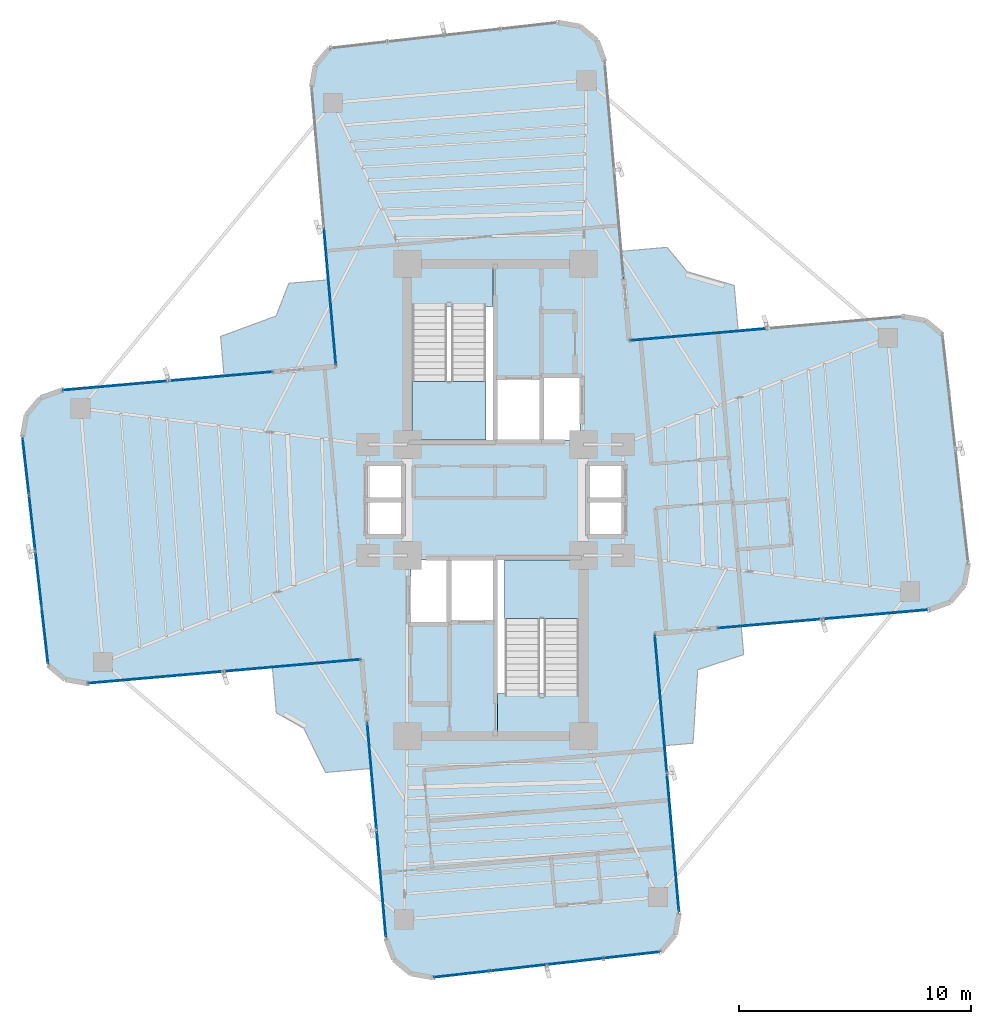
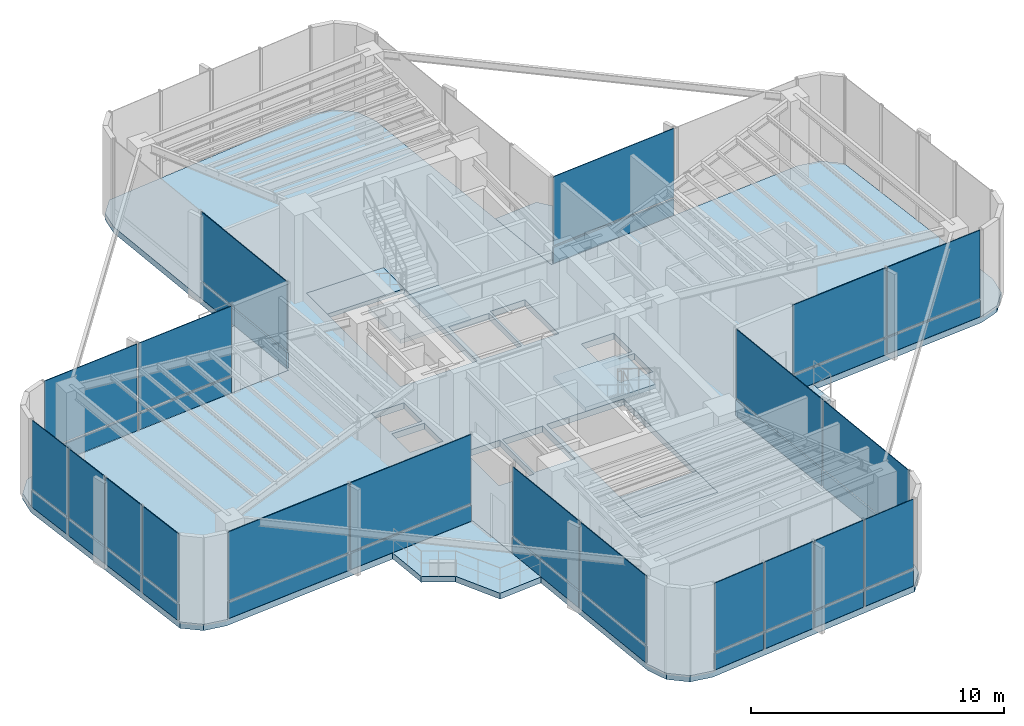
# One storey, part 13 of 19: 40 plates, 9 slabs, 11 elements without a shape of their own.
"""IFC4 building model written with IfcOpenShell, lengths in metres."""

from ifc_helpers import new_model, si_unit, direction, frame, origin, origin_2d, place, context, subcontext, project, spatial, polyline, rectangle, outline, extrude, source, transform, mapped, material, layer, layer_set, type_object, element, aggregate, save


model = new_model("IFC4")

# Units and contexts
model_context = context("Model", 3, precision=1e-05, world=origin(), true_north=direction((0.0, 1.0)))
body_context = subcontext(model_context, "Body", "Model", "MODEL_VIEW")
ifc_project = project(units=[si_unit("LENGTHUNIT", "METRE"), si_unit("AREAUNIT", "SQUARE_METRE"), si_unit("VOLUMEUNIT", "CUBIC_METRE"), si_unit("PLANEANGLEUNIT", "RADIAN"), si_unit("MASSUNIT", "GRAM", prefix="KILO")], contexts=[model_context])

# Site, building, storey
site_placement = place(None, origin())
site = spatial("IfcSite", under=ifc_project, at=site_placement, CompositionType="ELEMENT")
building_placement = place(site_placement, origin())
building = spatial("IfcBuilding", under=site, at=building_placement, Name="Sahyath Konkavel Grand Hotel", CompositionType="ELEMENT")
storey_placement = place(building_placement, frame((0.0, 0.0, 170.699951171875)))
storey = spatial("IfcBuildingStorey", under=building, at=storey_placement, Name="L47", CompositionType="ELEMENT", Elevation=170.699951171875)

# Slabs
ifc_material_1 = material(Name="Concrete C40/50", Category="concrete")
ifc_layer_1 = layer(ifc_material_1, 0.300048828125)
ifc_layer_set_1 = layer_set([ifc_layer_1], Name="Concrete C40/50")
slab_type_1 = type_object("IfcSlabType", Name="SLB-300", PredefinedType="FLOOR", material=ifc_layer_set_1)
slab_1_placement = place(storey_placement, frame((0.0, 0.0, -0.300048828125)))
element("IfcSlab", 1, at=slab_1_placement, inside=storey, type_object=slab_type_1, Name="L47 Structural Floor Slab", PredefinedType="FLOOR", context=body_context, shape_type="SweptSolid", body=[
    extrude(outline(polyline([(6.87939453125, -5.7724609375), (18.73388671875, -4.735107421875), (19.6337890625, -4.40771484375), (20.24951171875, -3.674072265625), (20.415771484375, -2.73095703125), (19.3037109375, 7.134521484375), (18.5703125, 7.75), (17.627197265625, 7.91650390625), (5.7724609375, 6.87939453125), (4.7177734375, 18.93310546875), (4.390380859375, 19.8330078125), (3.65673828125, 20.44873046875), (2.713623046875, 20.614990234375), (-7.152099609375, 19.5029296875), (-7.767578125, 18.769287109375), (-7.933837890625, 17.826416015625), (-6.87939453125, 5.7724609375), (-18.73388671875, 4.735107421875), (-19.6337890625, 4.40771484375), (-20.24951171875, 3.674072265625), (-20.415771484375, 2.73095703125), (-19.3037109375, -7.134521484375), (-18.5703125, -7.75), (-17.627197265625, -7.91650390625), (-5.7724609375, -6.87939453125), (-4.7177734375, -18.93310546875), (-4.390380859375, -19.8330078125), (-3.65673828125, -20.44873046875), (-2.713623046875, -20.614990234375), (7.152099609375, -19.5029296875), (7.767578125, -18.769287109375), (7.933837890625, -17.826416015625), (6.87939453125, -5.7724609375)]), holes=[polyline([(-3.6201171875, 2.580078125), (-0.10009765625, 2.580078125), (-0.10009765625, 10.02001953125), (-3.6201171875, 10.02001953125), (-3.6201171875, 2.580078125)]), polyline([(0.10009765625, -10.02001953125), (3.6201171875, -10.02001953125), (3.6201171875, -2.580078125), (0.10009765625, -2.580078125), (0.10009765625, -10.02001953125)]), polyline([(0.10009765625, 2.60009765625), (1.949951171875, 2.60009765625), (1.949951171875, 5.199951171875), (0.10009765625, 5.199951171875), (0.10009765625, 2.60009765625)]), polyline([(-1.949951171875, -5.199951171875), (-0.10009765625, -5.199951171875), (-0.10009765625, -2.60009765625), (-1.949951171875, -2.60009765625), (-1.949951171875, -5.199951171875)]), polyline([(2.050048828125, 2.60009765625), (3.64990234375, 2.60009765625), (3.64990234375, 5.300048828125), (2.050048828125, 5.300048828125), (2.050048828125, 2.60009765625)]), polyline([(-3.64990234375, -5.300048828125), (-2.050048828125, -5.300048828125), (-2.050048828125, -2.60009765625), (-3.64990234375, -2.60009765625), (-3.64990234375, -5.300048828125)]), polyline([(4.050048828125, 0.080078125), (5.550048828125, 0.080078125), (5.550048828125, 1.5400390625), (4.050048828125, 1.5400390625), (4.050048828125, 0.080078125)]), polyline([(4.050048828125, -1.5400390625), (5.550048828125, -1.5400390625), (5.550048828125, -0.080078125), (4.050048828125, -0.080078125), (4.050048828125, -1.5400390625)]), polyline([(-5.550048828125, 0.080078125), (-4.050048828125, 0.080078125), (-4.050048828125, 1.5400390625), (-5.550048828125, 1.5400390625), (-5.550048828125, 0.080078125)]), polyline([(-5.550048828125, -1.5400390625), (-4.050048828125, -1.5400390625), (-4.050048828125, -0.080078125), (-5.550048828125, -0.080078125), (-5.550048828125, -1.5400390625)])]), origin(), (0.0, 0.0, 1.0), 0.300048828125),
])
ifc_layer_2 = layer(ifc_material_1, 0.219970703125)
ifc_layer_set_2 = layer_set([ifc_layer_2], Name="Concrete C40/50")
slab_type_2 = type_object("IfcSlabType", Name="SLB-BALCONY-220", PredefinedType="FLOOR", material=ifc_layer_set_2)
slab_2_placement = place(storey_placement, frame((0.0, 0.0, -0.219970703125)))
element("IfcSlab", 2, at=slab_2_placement, inside=storey, type_object=slab_type_2, Name="L47 Winter-Garden Balcony NW", PredefinedType="FLOOR", context=body_context, shape_type="SweptSolid", body=[
    extrude(outline(polyline([(-6.87939453125, 5.7724609375), (-7.205810546875, 9.505126953125), (-8.91796875, 9.355224609375), (-9.465087890625, 7.9423828125), (-11.863525390625, 7.0615234375), (-11.7138671875, 5.349365234375), (-6.87939453125, 5.7724609375)])), origin(), (0.0, 0.0, 1.0), 0.219970703125),
])
slab_3_placement = place(storey_placement, frame((0.0, 0.0, -0.219970703125)))
element("IfcSlab", 3, at=slab_3_placement, inside=storey, type_object=slab_type_2, Name="L47 Winter-Garden Balcony SE", PredefinedType="FLOOR", context=body_context, shape_type="SweptSolid", body=[
    extrude(outline(polyline([(6.87939453125, -5.7724609375), (7.30224609375, -10.60693359375), (8.531005859375, -10.49951171875), (8.735107421875, -7.32958984375), (10.719482421875, -6.674560546875), (10.612060546875, -5.44580078125), (6.87939453125, -5.7724609375)])), origin(), (0.0, 0.0, 1.0), 0.219970703125),
])
ifc_layer_3 = layer(ifc_material_1, 0.280029296875)
ifc_layer_set_3 = layer_set([ifc_layer_3], Name="Concrete C40/50")
slab_type_3 = type_object("IfcSlabType", Name="SLB-SKYGARDEN-280", PredefinedType="ROOF", material=ifc_layer_set_3)
slab_4_placement = place(storey_placement, frame((0.0, 0.0, -0.280029296875)))
element("IfcSlab", 4, at=slab_4_placement, inside=storey, type_object=slab_type_3, Name="L47 Planted Sky Garden Terrace NE", PredefinedType="ROOF", context=body_context, shape_type="SweptSolid", body=[
    extrude(outline(polyline([(5.7724609375, 6.87939453125), (10.4833984375, 7.29150390625), (10.310791015625, 9.263916015625), (8.272216796875, 9.8583984375), (7.407470703125, 10.908203125), (5.43505859375, 10.735595703125), (5.7724609375, 6.87939453125)])), origin(), (0.0, 0.0, 1.0), 0.280029296875),
])
slab_5_placement = place(storey_placement, frame((0.0, 0.0, -0.280029296875)))
element("IfcSlab", 5, at=slab_5_placement, inside=storey, type_object=slab_type_3, Name="L47 Planted Sky Garden Terrace SW", PredefinedType="ROOF", context=body_context, shape_type="SweptSolid", body=[
    extrude(outline(polyline([(-5.7724609375, -6.87939453125), (-9.628662109375, -7.216796875), (-9.4560546875, -9.189208984375), (-8.272216796875, -9.8583984375), (-7.332763671875, -11.7626953125), (-5.360107421875, -11.59033203125), (-5.7724609375, -6.87939453125)])), origin(), (0.0, 0.0, 1.0), 0.280029296875),
])

# Stair, slab
stair_type = type_object("IfcStairType", Name="STR-ST16-450", PredefinedType="HALF_TURN_STAIR", material=ifc_material_1)
stair_1_placement = place(storey_placement, origin())
stair_1 = element("IfcStair", 6, at=stair_1_placement, inside=storey, type_object=stair_type, Name="L47 North Core Smokeproof Exit Stair ST-1", PredefinedType="HALF_TURN_STAIR")
ifc_layer_4 = layer(ifc_material_1, 0.199951171875)
ifc_layer_set_4 = layer_set([ifc_layer_4], Name="Concrete C40/50")
slab_type_4 = type_object("IfcSlabType", Name="SLB-STAIR-LND", PredefinedType="LANDING", material=ifc_layer_set_4)
slab_6_placement = place(storey_placement, frame((0.0, 0.0, 2.050048828125)))
slab_6 = element("IfcSlab", 7, at=slab_6_placement, type_object=slab_type_4, Name="ST-1 landing 1", PredefinedType="LANDING", context=body_context, shape_type="SweptSolid", body=[
    extrude(outline(polyline([(-3.60009765625, 5.1201171875), (-3.60009765625, 2.60009765625), (-0.39990234375, 2.60009765625), (-0.39990234375, 5.1201171875), (-3.60009765625, 5.1201171875)])), origin(), (0.0, 0.0, 1.0), 0.199951171875),
])
aggregate(stair_1, [slab_6])

stair_2_placement = place(storey_placement, origin())
stair_2 = element("IfcStair", 8, at=stair_2_placement, inside=storey, type_object=stair_type, Name="L47 South Core Smokeproof Exit Stair ST-2", PredefinedType="HALF_TURN_STAIR")
slab_7_placement = place(storey_placement, frame((0.0, 0.0, 2.050048828125)))
slab_7 = element("IfcSlab", 9, at=slab_7_placement, type_object=slab_type_4, Name="ST-2 landing 1", PredefinedType="LANDING", context=body_context, shape_type="SweptSolid", body=[
    extrude(outline(polyline([(3.60009765625, -5.1201171875), (3.60009765625, -2.60009765625), (0.39990234375, -2.60009765625), (0.39990234375, -5.1201171875), (3.60009765625, -5.1201171875)])), origin(), (0.0, 0.0, 1.0), 0.199951171875),
])
aggregate(stair_2, [slab_7])

# Slabs
slab_8_placement = place(storey_placement, frame((0.0, 0.0, -0.199951171875)))
element("IfcSlab", 10, at=slab_8_placement, inside=storey, type_object=slab_type_4, Name="L47 Stair ST-1 Floor Landing Slab", PredefinedType="LANDING", context=body_context, shape_type="SweptSolid", body=[
    extrude(outline(polyline([(-3.6201171875, 8.35009765625), (-0.10009765625, 8.35009765625), (-0.10009765625, 10.02001953125), (-3.6201171875, 10.02001953125), (-3.6201171875, 8.35009765625)])), origin(), (0.0, 0.0, 1.0), 0.199951171875),
])
slab_9_placement = place(storey_placement, frame((0.0, 0.0, -0.199951171875)))
element("IfcSlab", 11, at=slab_9_placement, inside=storey, type_object=slab_type_4, Name="L47 Stair ST-2 Floor Landing Slab", PredefinedType="LANDING", context=body_context, shape_type="SweptSolid", body=[
    extrude(outline(polyline([(0.10009765625, -10.02001953125), (3.6201171875, -10.02001953125), (3.6201171875, -8.35009765625), (0.10009765625, -8.35009765625), (0.10009765625, -10.02001953125)])), origin(), (0.0, 0.0, 1.0), 0.199951171875),
])

# Curtain wall, plates
ifc_material_2 = material(Name="Anodised Bronze Aluminium & Low-E Glazing", Category="aluminium")
curtain_wall_type = type_object("IfcCurtainWallType", Name="CW-SKYLOBBY", PredefinedType="NOTDEFINED", material=ifc_material_2)
curtain_wall_1_placement = place(storey_placement, origin())
curtain_wall_1 = element("IfcCurtainWall", 12, at=curtain_wall_1_placement, inside=storey, type_object=curtain_wall_type, Name="L47 Unitised Curtain Wall F0", PredefinedType="NOTDEFINED")
ifc_material_3 = material(Name="Warm Buff Sandstone Cladding", Category="masonry")
ifc_layer_5 = layer(ifc_material_3, 0.074951171875)
ifc_layer_set_5 = layer_set([ifc_layer_5], Name="Warm Buff Sandstone Cladding")
plate_type_1 = type_object("IfcPlateType", Name="PNL-SPANDREL-STONE", PredefinedType="SHEET", material=ifc_layer_set_5)
shared_shape_1 = source(origin(), body_context, "Body", "SweptSolid", [
    extrude(rectangle(XDim=4.47998046875, YDim=0.074951171875, at=origin_2d()), origin(), (0.0, 0.0, 1.0), 0.77001953125),
])
plate_1_placement = place(storey_placement, frame((11.880126953125, -5.334716796875, 0.0400390625), z_axis=(0.0, 0.0, 1.0), x_axis=(0.996194698092, 0.087155742748, 0.0)))
plate_1 = element("IfcPlate", 13, at=plate_1_placement, type_object=plate_type_1, Name="L47 Sandstone Relief Spandrel Panel F0-0", PredefinedType="SHEET", context=body_context, shape_type="MappedRepresentation", body=[
    mapped(shared_shape_1, transform((0.0, 0.0, 0.0), scale=1.0)),
])
plate_2_placement = place(storey_placement, frame((16.4228515625, -4.9375, 0.0400390625), z_axis=(0.0, 0.0, 1.0), x_axis=(0.996194698092, 0.087155742748, 0.0)))
plate_2 = element("IfcPlate", 14, at=plate_2_placement, type_object=plate_type_1, Name="L47 Sandstone Relief Spandrel Panel F0-1", PredefinedType="SHEET", context=body_context, shape_type="MappedRepresentation", body=[
    mapped(shared_shape_1, transform((0.0, 0.0, 0.0), scale=1.0)),
])

curtain_wall_2_placement = place(storey_placement, origin())
curtain_wall_2 = element("IfcCurtainWall", 15, at=curtain_wall_2_placement, inside=storey, type_object=curtain_wall_type, Name="L47 Unitised Curtain Wall F16", PredefinedType="NOTDEFINED")
plate_3_placement = place(storey_placement, frame((-11.880126953125, 5.334716796875, 0.0400390625), z_axis=(0.0, 0.0, 1.0), x_axis=(-0.996194698092, -0.087155742748, 0.0)))
plate_3 = element("IfcPlate", 16, at=plate_3_placement, type_object=plate_type_1, Name="L47 Sandstone Relief Spandrel Panel F16-0", PredefinedType="SHEET", context=body_context, shape_type="MappedRepresentation", body=[
    mapped(shared_shape_1, transform((0.0, 0.0, 0.0), scale=1.0)),
])
plate_4_placement = place(storey_placement, frame((-16.4228515625, 4.9375, 0.0400390625), z_axis=(0.0, 0.0, 1.0), x_axis=(-0.996194698092, -0.087155742748, 0.0)))
plate_4 = element("IfcPlate", 17, at=plate_4_placement, type_object=plate_type_1, Name="L47 Sandstone Relief Spandrel Panel F16-1", PredefinedType="SHEET", context=body_context, shape_type="MappedRepresentation", body=[
    mapped(shared_shape_1, transform((0.0, 0.0, 0.0), scale=1.0)),
])

# Plate
ifc_material_4 = material(Name="Low-E Solar Control Double Glazing", Category="glass")
ifc_layer_6 = layer(ifc_material_4, 0.035888671875)
ifc_layer_set_6 = layer_set([ifc_layer_6], Name="Low-E Solar Control Double Glazing")
plate_type_2 = type_object("IfcPlateType", Name="PNL-VISION-LOWE", PredefinedType="CURTAIN_PANEL", material=ifc_layer_set_6)
shared_shape_2 = source(origin(), body_context, "Body", "SweptSolid", [
    extrude(rectangle(XDim=4.47998046875, YDim=0.035888671875, at=origin_2d()), origin(), (0.0, 0.0, 1.0), 3.330078125),
])
plate_5_placement = place(storey_placement, frame((11.880126953125, -5.334716796875, 0.889892578125), z_axis=(0.0, 0.0, 1.0), x_axis=(0.996194698092, 0.087155742748, 0.0)))
plate_5 = element("IfcPlate", 18, at=plate_5_placement, type_object=plate_type_2, Name="L47 Low-E Vision Glazing Panel F0-0", PredefinedType="CURTAIN_PANEL", context=body_context, shape_type="MappedRepresentation", body=[
    mapped(shared_shape_2, transform((0.0, 0.0, 0.0), scale=1.0)),
])

plate_6_placement = place(storey_placement, frame((16.4228515625, -4.9375, 0.889892578125), z_axis=(0.0, 0.0, 1.0), x_axis=(0.996194698092, 0.087155742748, 0.0)))
plate_6 = element("IfcPlate", 19, at=plate_6_placement, type_object=plate_type_2, Name="L47 Low-E Vision Glazing Panel F0-1", PredefinedType="CURTAIN_PANEL", context=body_context, shape_type="MappedRepresentation", body=[
    mapped(shared_shape_2, transform((0.0, 0.0, 0.0), scale=1.0)),
])

aggregate(curtain_wall_1, [plate_1, plate_5, plate_2, plate_6])

plate_7_placement = place(storey_placement, frame((-11.880126953125, 5.334716796875, 0.889892578125), z_axis=(0.0, 0.0, 1.0), x_axis=(-0.996194698092, -0.087155742748, 0.0)))
plate_7 = element("IfcPlate", 20, at=plate_7_placement, type_object=plate_type_2, Name="L47 Low-E Vision Glazing Panel F16-0", PredefinedType="CURTAIN_PANEL", context=body_context, shape_type="MappedRepresentation", body=[
    mapped(shared_shape_2, transform((0.0, 0.0, 0.0), scale=1.0)),
])

plate_8_placement = place(storey_placement, frame((-16.4228515625, 4.9375, 0.889892578125), z_axis=(0.0, 0.0, 1.0), x_axis=(-0.996194698092, -0.087155742748, 0.0)))
plate_8 = element("IfcPlate", 21, at=plate_8_placement, type_object=plate_type_2, Name="L47 Low-E Vision Glazing Panel F16-1", PredefinedType="CURTAIN_PANEL", context=body_context, shape_type="MappedRepresentation", body=[
    mapped(shared_shape_2, transform((0.0, 0.0, 0.0), scale=1.0)),
])

aggregate(curtain_wall_2, [plate_3, plate_7, plate_4, plate_8])

# Curtain wall, plates
curtain_wall_3_placement = place(storey_placement, origin())
curtain_wall_3 = element("IfcCurtainWall", 22, at=curtain_wall_3_placement, inside=storey, type_object=curtain_wall_type, Name="L47 Unitised Curtain Wall F20", PredefinedType="NOTDEFINED")
shared_shape_3 = source(origin(), body_context, "Body", "SweptSolid", [
    extrude(rectangle(XDim=2.382080078125, YDim=0.074951171875, at=origin_2d()), origin(), (0.0, 0.0, 1.0), 0.77001953125),
])
plate_9_placement = place(storey_placement, frame((-20.2734375, 1.468017578125, 0.0400390625), z_axis=(0.0, 0.0, 1.0), x_axis=(0.111989252568, -0.993709417943, 0.0)))
plate_9 = element("IfcPlate", 23, at=plate_9_placement, type_object=plate_type_1, Name="L47 Sandstone Relief Spandrel Panel F20-0", PredefinedType="SHEET", context=body_context, shape_type="MappedRepresentation", body=[
    mapped(shared_shape_3, transform((0.0, 0.0, 0.0), scale=1.0)),
])
plate_10_placement = place(storey_placement, frame((-19.99755859375, -0.978515625, 0.0400390625), z_axis=(0.0, 0.0, 1.0), x_axis=(0.111989252568, -0.993709417943, 0.0)))
plate_10 = element("IfcPlate", 24, at=plate_10_placement, type_object=plate_type_1, Name="L47 Sandstone Relief Spandrel Panel F20-1", PredefinedType="SHEET", context=body_context, shape_type="MappedRepresentation", body=[
    mapped(shared_shape_3, transform((0.0, 0.0, 0.0), scale=1.0)),
])
plate_11_placement = place(storey_placement, frame((-19.7216796875, -3.425048828125, 0.0400390625), z_axis=(0.0, 0.0, 1.0), x_axis=(0.111989252568, -0.993709417943, 0.0)))
plate_11 = element("IfcPlate", 25, at=plate_11_placement, type_object=plate_type_1, Name="L47 Sandstone Relief Spandrel Panel F20-2", PredefinedType="SHEET", context=body_context, shape_type="MappedRepresentation", body=[
    mapped(shared_shape_3, transform((0.0, 0.0, 0.0), scale=1.0)),
])
plate_12_placement = place(storey_placement, frame((-19.446044921875, -5.87158203125, 0.0400390625), z_axis=(0.0, 0.0, 1.0), x_axis=(0.111989252568, -0.993709417943, 0.0)))
plate_12 = element("IfcPlate", 26, at=plate_12_placement, type_object=plate_type_1, Name="L47 Sandstone Relief Spandrel Panel F20-3", PredefinedType="SHEET", context=body_context, shape_type="MappedRepresentation", body=[
    mapped(shared_shape_3, transform((0.0, 0.0, 0.0), scale=1.0)),
])

curtain_wall_4_placement = place(storey_placement, origin())
curtain_wall_4 = element("IfcCurtainWall", 27, at=curtain_wall_4_placement, inside=storey, type_object=curtain_wall_type, Name="L47 Unitised Curtain Wall F28", PredefinedType="NOTDEFINED")
plate_13_placement = place(storey_placement, frame((-1.45068359375, -20.47265625, 0.0400390625), z_axis=(0.0, 0.0, 1.0), x_axis=(0.993707463211, 0.112006596052, 0.0)))
plate_13 = element("IfcPlate", 28, at=plate_13_placement, type_object=plate_type_1, Name="L47 Sandstone Relief Spandrel Panel F28-0", PredefinedType="SHEET", context=body_context, shape_type="MappedRepresentation", body=[
    mapped(shared_shape_3, transform((0.0, 0.0, 0.0), scale=1.0)),
])
plate_14_placement = place(storey_placement, frame((0.995849609375, -20.197021484375, 0.0400390625), z_axis=(0.0, 0.0, 1.0), x_axis=(0.993707463211, 0.112006596052, 0.0)))
plate_14 = element("IfcPlate", 29, at=plate_14_placement, type_object=plate_type_1, Name="L47 Sandstone Relief Spandrel Panel F28-1", PredefinedType="SHEET", context=body_context, shape_type="MappedRepresentation", body=[
    mapped(shared_shape_3, transform((0.0, 0.0, 0.0), scale=1.0)),
])
plate_15_placement = place(storey_placement, frame((3.4423828125, -19.921142578125, 0.0400390625), z_axis=(0.0, 0.0, 1.0), x_axis=(0.993707463211, 0.112006596052, 0.0)))
plate_15 = element("IfcPlate", 30, at=plate_15_placement, type_object=plate_type_1, Name="L47 Sandstone Relief Spandrel Panel F28-2", PredefinedType="SHEET", context=body_context, shape_type="MappedRepresentation", body=[
    mapped(shared_shape_3, transform((0.0, 0.0, 0.0), scale=1.0)),
])
plate_16_placement = place(storey_placement, frame((5.888916015625, -19.6455078125, 0.0400390625), z_axis=(0.0, 0.0, 1.0), x_axis=(0.993707463211, 0.112006596052, 0.0)))
plate_16 = element("IfcPlate", 31, at=plate_16_placement, type_object=plate_type_1, Name="L47 Sandstone Relief Spandrel Panel F28-3", PredefinedType="SHEET", context=body_context, shape_type="MappedRepresentation", body=[
    mapped(shared_shape_3, transform((0.0, 0.0, 0.0), scale=1.0)),
])

# Plate
shared_shape_4 = source(origin(), body_context, "Body", "SweptSolid", [
    extrude(rectangle(XDim=2.382080078125, YDim=0.035888671875, at=origin_2d()), origin(), (0.0, 0.0, 1.0), 3.330078125),
])
plate_17_placement = place(storey_placement, frame((-20.2734375, 1.468017578125, 0.889892578125), z_axis=(0.0, 0.0, 1.0), x_axis=(0.111989252568, -0.993709417943, 0.0)))
plate_17 = element("IfcPlate", 32, at=plate_17_placement, type_object=plate_type_2, Name="L47 Low-E Vision Glazing Panel F20-0", PredefinedType="CURTAIN_PANEL", context=body_context, shape_type="MappedRepresentation", body=[
    mapped(shared_shape_4, transform((0.0, 0.0, 0.0), scale=1.0)),
])

plate_18_placement = place(storey_placement, frame((-19.99755859375, -0.978515625, 0.889892578125), z_axis=(0.0, 0.0, 1.0), x_axis=(0.111989252568, -0.993709417943, 0.0)))
plate_18 = element("IfcPlate", 33, at=plate_18_placement, type_object=plate_type_2, Name="L47 Low-E Vision Glazing Panel F20-1", PredefinedType="CURTAIN_PANEL", context=body_context, shape_type="MappedRepresentation", body=[
    mapped(shared_shape_4, transform((0.0, 0.0, 0.0), scale=1.0)),
])

plate_19_placement = place(storey_placement, frame((-19.7216796875, -3.425048828125, 0.889892578125), z_axis=(0.0, 0.0, 1.0), x_axis=(0.111989252568, -0.993709417943, 0.0)))
plate_19 = element("IfcPlate", 34, at=plate_19_placement, type_object=plate_type_2, Name="L47 Low-E Vision Glazing Panel F20-2", PredefinedType="CURTAIN_PANEL", context=body_context, shape_type="MappedRepresentation", body=[
    mapped(shared_shape_4, transform((0.0, 0.0, 0.0), scale=1.0)),
])

plate_20_placement = place(storey_placement, frame((-19.446044921875, -5.87158203125, 0.889892578125), z_axis=(0.0, 0.0, 1.0), x_axis=(0.111989252568, -0.993709417943, 0.0)))
plate_20 = element("IfcPlate", 35, at=plate_20_placement, type_object=plate_type_2, Name="L47 Low-E Vision Glazing Panel F20-3", PredefinedType="CURTAIN_PANEL", context=body_context, shape_type="MappedRepresentation", body=[
    mapped(shared_shape_4, transform((0.0, 0.0, 0.0), scale=1.0)),
])

aggregate(curtain_wall_3, [plate_9, plate_17, plate_10, plate_18, plate_11, plate_19, plate_12, plate_20])

plate_21_placement = place(storey_placement, frame((-1.45068359375, -20.47265625, 0.889892578125), z_axis=(0.0, 0.0, 1.0), x_axis=(0.993707463211, 0.112006596052, 0.0)))
plate_21 = element("IfcPlate", 36, at=plate_21_placement, type_object=plate_type_2, Name="L47 Low-E Vision Glazing Panel F28-0", PredefinedType="CURTAIN_PANEL", context=body_context, shape_type="MappedRepresentation", body=[
    mapped(shared_shape_4, transform((0.0, 0.0, 0.0), scale=1.0)),
])

plate_22_placement = place(storey_placement, frame((0.995849609375, -20.197021484375, 0.889892578125), z_axis=(0.0, 0.0, 1.0), x_axis=(0.993707463211, 0.112006596052, 0.0)))
plate_22 = element("IfcPlate", 37, at=plate_22_placement, type_object=plate_type_2, Name="L47 Low-E Vision Glazing Panel F28-1", PredefinedType="CURTAIN_PANEL", context=body_context, shape_type="MappedRepresentation", body=[
    mapped(shared_shape_4, transform((0.0, 0.0, 0.0), scale=1.0)),
])

plate_23_placement = place(storey_placement, frame((3.4423828125, -19.921142578125, 0.889892578125), z_axis=(0.0, 0.0, 1.0), x_axis=(0.993707463211, 0.112006596052, 0.0)))
plate_23 = element("IfcPlate", 38, at=plate_23_placement, type_object=plate_type_2, Name="L47 Low-E Vision Glazing Panel F28-2", PredefinedType="CURTAIN_PANEL", context=body_context, shape_type="MappedRepresentation", body=[
    mapped(shared_shape_4, transform((0.0, 0.0, 0.0), scale=1.0)),
])

plate_24_placement = place(storey_placement, frame((5.888916015625, -19.6455078125, 0.889892578125), z_axis=(0.0, 0.0, 1.0), x_axis=(0.993707463211, 0.112006596052, 0.0)))
plate_24 = element("IfcPlate", 39, at=plate_24_placement, type_object=plate_type_2, Name="L47 Low-E Vision Glazing Panel F28-3", PredefinedType="CURTAIN_PANEL", context=body_context, shape_type="MappedRepresentation", body=[
    mapped(shared_shape_4, transform((0.0, 0.0, 0.0), scale=1.0)),
])

aggregate(curtain_wall_4, [plate_13, plate_21, plate_14, plate_22, plate_15, plate_23, plate_16, plate_24])

# Curtain wall, plate
curtain_wall_5_placement = place(storey_placement, origin())
curtain_wall_5 = element("IfcCurtainWall", 40, at=curtain_wall_5_placement, inside=storey, type_object=curtain_wall_type, Name="L47 Unitised Curtain Wall F7", PredefinedType="NOTDEFINED")
shared_shape_5 = source(origin(), body_context, "Body", "SweptSolid", [
    extrude(rectangle(XDim=5.830078125, YDim=0.074951171875, at=origin_2d()), origin(), (0.0, 0.0, 1.0), 0.77001953125),
])
plate_25_placement = place(storey_placement, frame((8.756103515625, 7.140380859375, 0.0400390625), z_axis=(0.0, 0.0, 1.0), x_axis=(-0.996194698092, -0.087155742748, 0.0)))
plate_25 = element("IfcPlate", 41, at=plate_25_placement, type_object=plate_type_1, Name="L47 Sandstone Relief Spandrel Panel F7-1", PredefinedType="SHEET", context=body_context, shape_type="MappedRepresentation", body=[
    mapped(shared_shape_5, transform((0.0, 0.0, 0.0), scale=1.0)),
])

# Curtain wall, plates
curtain_wall_6_placement = place(storey_placement, origin())
curtain_wall_6 = element("IfcCurtainWall", 42, at=curtain_wall_6_placement, inside=storey, type_object=curtain_wall_type, Name="L47 Unitised Curtain Wall F23", PredefinedType="NOTDEFINED")
plate_26_placement = place(storey_placement, frame((-14.6435546875, -7.655517578125, 0.0400390625), z_axis=(0.0, 0.0, 1.0), x_axis=(0.996194698092, 0.087155742748, 0.0)))
plate_26 = element("IfcPlate", 43, at=plate_26_placement, type_object=plate_type_1, Name="L47 Sandstone Relief Spandrel Panel F23-0", PredefinedType="SHEET", context=body_context, shape_type="MappedRepresentation", body=[
    mapped(shared_shape_5, transform((0.0, 0.0, 0.0), scale=1.0)),
])
plate_27_placement = place(storey_placement, frame((-8.756103515625, -7.140380859375, 0.0400390625), z_axis=(0.0, 0.0, 1.0), x_axis=(0.996194698092, 0.087155742748, 0.0)))
plate_27 = element("IfcPlate", 44, at=plate_27_placement, type_object=plate_type_1, Name="L47 Sandstone Relief Spandrel Panel F23-1", PredefinedType="SHEET", context=body_context, shape_type="MappedRepresentation", body=[
    mapped(shared_shape_5, transform((0.0, 0.0, 0.0), scale=1.0)),
])

# Plate
shared_shape_6 = source(origin(), body_context, "Body", "SweptSolid", [
    extrude(rectangle(XDim=5.830078125, YDim=0.035888671875, at=origin_2d()), origin(), (0.0, 0.0, 1.0), 3.330078125),
])
plate_28_placement = place(storey_placement, frame((8.756103515625, 7.140380859375, 0.889892578125), z_axis=(0.0, 0.0, 1.0), x_axis=(-0.996194698092, -0.087155742748, 0.0)))
plate_28 = element("IfcPlate", 45, at=plate_28_placement, type_object=plate_type_2, Name="L47 Low-E Vision Glazing Panel F7-1", PredefinedType="CURTAIN_PANEL", context=body_context, shape_type="MappedRepresentation", body=[
    mapped(shared_shape_6, transform((0.0, 0.0, 0.0), scale=1.0)),
])

aggregate(curtain_wall_5, [plate_25, plate_28])

plate_29_placement = place(storey_placement, frame((-14.6435546875, -7.655517578125, 0.889892578125), z_axis=(0.0, 0.0, 1.0), x_axis=(0.996194698092, 0.087155742748, 0.0)))
plate_29 = element("IfcPlate", 46, at=plate_29_placement, type_object=plate_type_2, Name="L47 Low-E Vision Glazing Panel F23-0", PredefinedType="CURTAIN_PANEL", context=body_context, shape_type="MappedRepresentation", body=[
    mapped(shared_shape_6, transform((0.0, 0.0, 0.0), scale=1.0)),
])

plate_30_placement = place(storey_placement, frame((-8.756103515625, -7.140380859375, 0.889892578125), z_axis=(0.0, 0.0, 1.0), x_axis=(0.996194698092, 0.087155742748, 0.0)))
plate_30 = element("IfcPlate", 47, at=plate_30_placement, type_object=plate_type_2, Name="L47 Low-E Vision Glazing Panel F23-1", PredefinedType="CURTAIN_PANEL", context=body_context, shape_type="MappedRepresentation", body=[
    mapped(shared_shape_6, transform((0.0, 0.0, 0.0), scale=1.0)),
])

aggregate(curtain_wall_6, [plate_26, plate_29, plate_27, plate_30])

# Curtain wall, plates
curtain_wall_7_placement = place(storey_placement, origin())
curtain_wall_7 = element("IfcCurtainWall", 48, at=curtain_wall_7_placement, inside=storey, type_object=curtain_wall_type, Name="L47 Unitised Curtain Wall F24", PredefinedType="NOTDEFINED")
shared_shape_7 = source(origin(), body_context, "Body", "SweptSolid", [
    extrude(rectangle(XDim=4.580078125, YDim=0.074951171875, at=origin_2d()), origin(), (0.0, 0.0, 1.0), 0.77001953125),
])
plate_31_placement = place(storey_placement, frame((-5.33056640625, -11.929931640625, 0.0400390625), z_axis=(0.0, 0.0, 1.0), x_axis=(0.087155742748, -0.996194698092, 0.0)))
plate_31 = element("IfcPlate", 49, at=plate_31_placement, type_object=plate_type_1, Name="L47 Sandstone Relief Spandrel Panel F24-0", PredefinedType="SHEET", context=body_context, shape_type="MappedRepresentation", body=[
    mapped(shared_shape_7, transform((0.0, 0.0, 0.0), scale=1.0)),
])
plate_32_placement = place(storey_placement, frame((-4.92431640625, -16.572265625, 0.0400390625), z_axis=(0.0, 0.0, 1.0), x_axis=(0.087155742748, -0.996194698092, 0.0)))
plate_32 = element("IfcPlate", 50, at=plate_32_placement, type_object=plate_type_1, Name="L47 Sandstone Relief Spandrel Panel F24-1", PredefinedType="SHEET", context=body_context, shape_type="MappedRepresentation", body=[
    mapped(shared_shape_7, transform((0.0, 0.0, 0.0), scale=1.0)),
])
shared_shape_8 = source(origin(), body_context, "Body", "SweptSolid", [
    extrude(rectangle(XDim=4.580078125, YDim=0.035888671875, at=origin_2d()), origin(), (0.0, 0.0, 1.0), 3.330078125),
])
plate_33_placement = place(storey_placement, frame((-5.33056640625, -11.929931640625, 0.889892578125), z_axis=(0.0, 0.0, 1.0), x_axis=(0.087155742748, -0.996194698092, 0.0)))
plate_33 = element("IfcPlate", 51, at=plate_33_placement, type_object=plate_type_2, Name="L47 Low-E Vision Glazing Panel F24-0", PredefinedType="CURTAIN_PANEL", context=body_context, shape_type="MappedRepresentation", body=[
    mapped(shared_shape_8, transform((0.0, 0.0, 0.0), scale=1.0)),
])
plate_34_placement = place(storey_placement, frame((-4.92431640625, -16.572265625, 0.889892578125), z_axis=(0.0, 0.0, 1.0), x_axis=(0.087155742748, -0.996194698092, 0.0)))
plate_34 = element("IfcPlate", 52, at=plate_34_placement, type_object=plate_type_2, Name="L47 Low-E Vision Glazing Panel F24-1", PredefinedType="CURTAIN_PANEL", context=body_context, shape_type="MappedRepresentation", body=[
    mapped(shared_shape_8, transform((0.0, 0.0, 0.0), scale=1.0)),
])
aggregate(curtain_wall_7, [plate_31, plate_33, plate_32, plate_34])

# Curtain wall, plate
curtain_wall_8_placement = place(storey_placement, origin())
curtain_wall_8 = element("IfcCurtainWall", 53, at=curtain_wall_8_placement, inside=storey, type_object=curtain_wall_type, Name="L47 Unitised Curtain Wall F15", PredefinedType="NOTDEFINED")
shared_shape_9 = source(origin(), body_context, "Body", "SweptSolid", [
    extrude(rectangle(XDim=5.929931640625, YDim=0.074951171875, at=origin_2d()), origin(), (0.0, 0.0, 1.0), 0.77001953125),
])
plate_35_placement = place(storey_placement, frame((-7.144775390625, 8.805908203125, 0.0400390625), z_axis=(0.0, 0.0, 1.0), x_axis=(0.087155742748, -0.996194698092, 0.0)))
plate_35 = element("IfcPlate", 54, at=plate_35_placement, type_object=plate_type_1, Name="L47 Sandstone Relief Spandrel Panel F15-1", PredefinedType="SHEET", context=body_context, shape_type="MappedRepresentation", body=[
    mapped(shared_shape_9, transform((0.0, 0.0, 0.0), scale=1.0)),
])

# Curtain wall, plates
curtain_wall_9_placement = place(storey_placement, origin())
curtain_wall_9 = element("IfcCurtainWall", 55, at=curtain_wall_9_placement, inside=storey, type_object=curtain_wall_type, Name="L47 Unitised Curtain Wall F31", PredefinedType="NOTDEFINED")
plate_36_placement = place(storey_placement, frame((7.66845703125, -14.79296875, 0.0400390625), z_axis=(0.0, 0.0, 1.0), x_axis=(-0.087155742748, 0.996194698092, 0.0)))
plate_36 = element("IfcPlate", 56, at=plate_36_placement, type_object=plate_type_1, Name="L47 Sandstone Relief Spandrel Panel F31-0", PredefinedType="SHEET", context=body_context, shape_type="MappedRepresentation", body=[
    mapped(shared_shape_9, transform((0.0, 0.0, 0.0), scale=1.0)),
])
plate_37_placement = place(storey_placement, frame((7.144775390625, -8.805908203125, 0.0400390625), z_axis=(0.0, 0.0, 1.0), x_axis=(-0.087155742748, 0.996194698092, 0.0)))
plate_37 = element("IfcPlate", 57, at=plate_37_placement, type_object=plate_type_1, Name="L47 Sandstone Relief Spandrel Panel F31-1", PredefinedType="SHEET", context=body_context, shape_type="MappedRepresentation", body=[
    mapped(shared_shape_9, transform((0.0, 0.0, 0.0), scale=1.0)),
])

# Plate
shared_shape_10 = source(origin(), body_context, "Body", "SweptSolid", [
    extrude(rectangle(XDim=5.929931640625, YDim=0.035888671875, at=origin_2d()), origin(), (0.0, 0.0, 1.0), 3.330078125),
])
plate_38_placement = place(storey_placement, frame((-7.144775390625, 8.805908203125, 0.889892578125), z_axis=(0.0, 0.0, 1.0), x_axis=(0.087155742748, -0.996194698092, 0.0)))
plate_38 = element("IfcPlate", 58, at=plate_38_placement, type_object=plate_type_2, Name="L47 Low-E Vision Glazing Panel F15-1", PredefinedType="CURTAIN_PANEL", context=body_context, shape_type="MappedRepresentation", body=[
    mapped(shared_shape_10, transform((0.0, 0.0, 0.0), scale=1.0)),
])

aggregate(curtain_wall_8, [plate_35, plate_38])

plate_39_placement = place(storey_placement, frame((7.66845703125, -14.79296875, 0.889892578125), z_axis=(0.0, 0.0, 1.0), x_axis=(-0.087155742748, 0.996194698092, 0.0)))
plate_39 = element("IfcPlate", 59, at=plate_39_placement, type_object=plate_type_2, Name="L47 Low-E Vision Glazing Panel F31-0", PredefinedType="CURTAIN_PANEL", context=body_context, shape_type="MappedRepresentation", body=[
    mapped(shared_shape_10, transform((0.0, 0.0, 0.0), scale=1.0)),
])

plate_40_placement = place(storey_placement, frame((7.144775390625, -8.805908203125, 0.889892578125), z_axis=(0.0, 0.0, 1.0), x_axis=(-0.087155742748, 0.996194698092, 0.0)))
plate_40 = element("IfcPlate", 60, at=plate_40_placement, type_object=plate_type_2, Name="L47 Low-E Vision Glazing Panel F31-1", PredefinedType="CURTAIN_PANEL", context=body_context, shape_type="MappedRepresentation", body=[
    mapped(shared_shape_10, transform((0.0, 0.0, 0.0), scale=1.0)),
])

aggregate(curtain_wall_9, [plate_36, plate_39, plate_37, plate_40])

save(model, "model.ifc")
